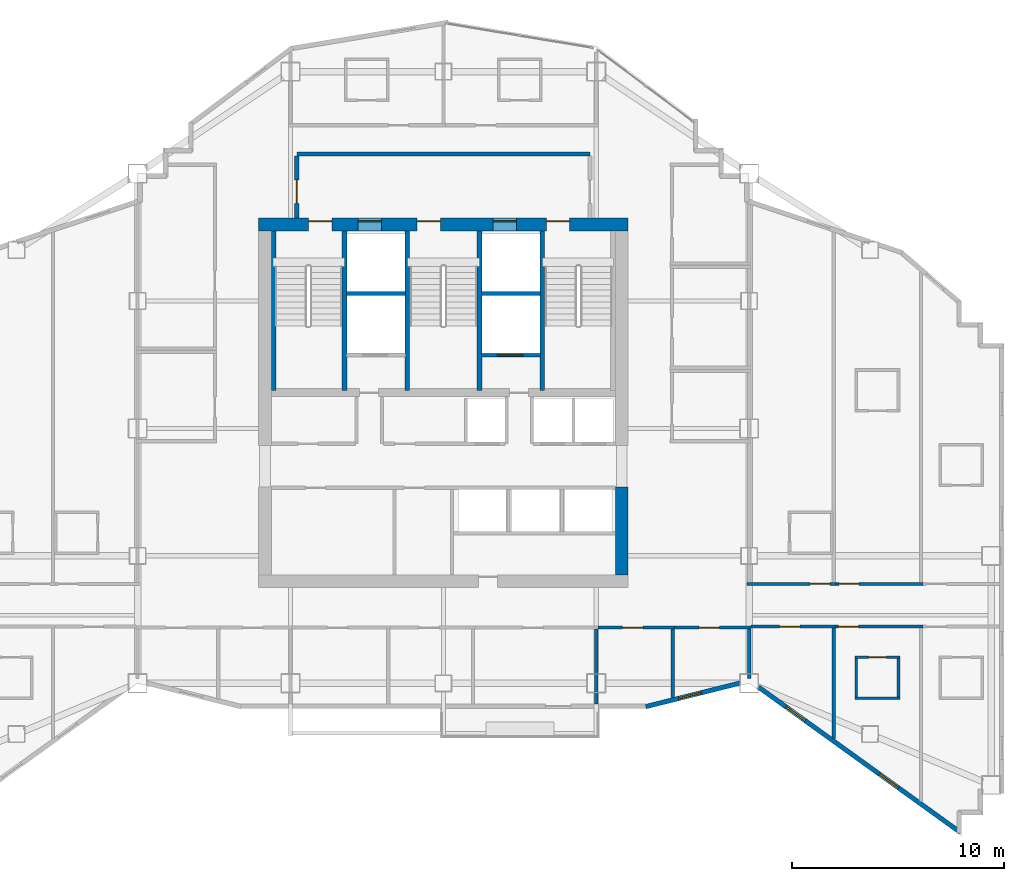
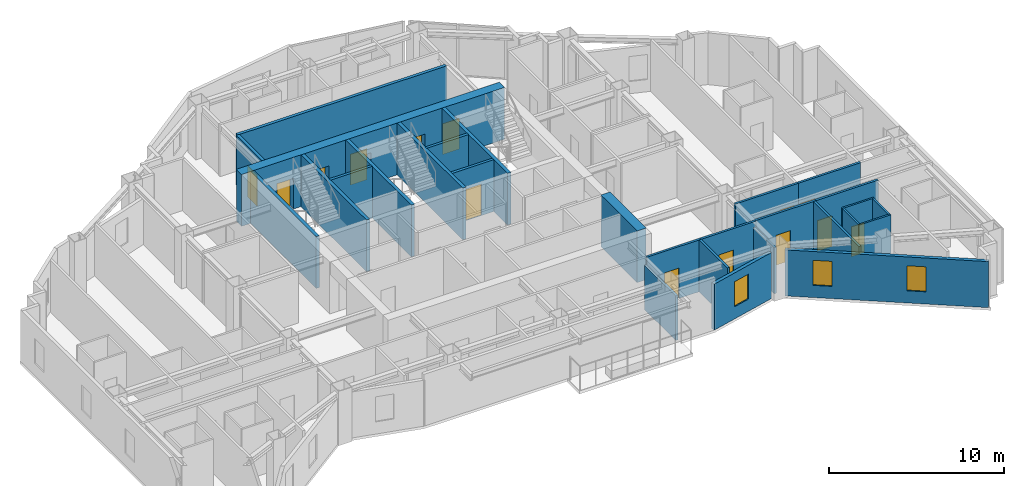
# One storey, part 7 of 11: 28 walls, 14 doors, 3 windows, 17 openings.
"""IFC4 building model written with IfcOpenShell, lengths in metres."""

from ifc_helpers import new_model, si_unit, direction, frame, frame_2d, origin, place, context, subcontext, project, spatial, rectangle, extrude, material, layer, layer_set, type_object, element, fill, save


model = new_model("IFC4")

# Units and contexts
model_context = context("Model", 3, precision=1e-05, world=origin(), true_north=direction((0.0, 1.0)))
body_context = subcontext(model_context, "Body", "Model", "MODEL_VIEW")
ifc_project = project(units=[si_unit("LENGTHUNIT", "METRE"), si_unit("AREAUNIT", "SQUARE_METRE"), si_unit("VOLUMEUNIT", "CUBIC_METRE"), si_unit("PLANEANGLEUNIT", "RADIAN"), si_unit("MASSUNIT", "GRAM", prefix="KILO")], contexts=[model_context])

# Site, building, storey
site_placement = place(None, origin())
site = spatial("IfcSite", under=ifc_project, at=site_placement, CompositionType="ELEMENT")
building_placement = place(site_placement, origin())
building = spatial("IfcBuilding", under=site, at=building_placement, Name="Haolan Belvedere Tower", CompositionType="ELEMENT")
storey_placement = place(building_placement, frame((0.0, 0.0, 188.0)))
storey = spatial("IfcBuildingStorey", under=building, at=storey_placement, Name="L47", CompositionType="ELEMENT", Elevation=188.0)

# Wall, openings, doors
ifc_material_1 = material(Name="Concrete C60/75", Category="concrete")
ifc_layer_1 = layer(ifc_material_1, 0.60009765625, Name="Concrete C60/75")
ifc_layer_set_1 = layer_set([ifc_layer_1], Name="Concrete C60/75")
wall_type_1 = type_object("IfcWallType", Name="WL-CORE-600", PredefinedType="SHEAR", material=ifc_layer_set_1)
wall_1_placement = place(storey_placement, frame((29.699951171875, 43.199951171875, 0.0), z_axis=(0.0, 0.0, 1.0), x_axis=(1.0, 0.0, 0.0)))
wall_1 = element("IfcWall", 1, at=wall_1_placement, inside=storey, type_object=wall_type_1, Name="L47 central core north shear wall", PredefinedType="SHEAR", context=body_context, shape_type="SweptSolid", body=[
    extrude(rectangle(XDim=17.400146484375, YDim=0.60009765625, at=frame_2d((8.7001953125, 0.0))), origin(), (0.0, 0.0, 1.0), 3.6201171875),
])
opening_1_placement = place(wall_1_placement, frame((2.35009765625, 0.0, 0.0)))
opening_1 = element("IfcOpeningElement", 2, at=opening_1_placement, cuts=wall_1, Name="Opening FD-03", PredefinedType="OPENING", context=body_context, shape_type="SweptSolid", body=[
    extrude(rectangle(XDim=1.10009765625, YDim=2.14990234375, at=frame_2d((0.550048828125, 1.074951171875))), frame((0.0, 0.31005859375, 0.0), z_axis=(0.0, -1.0, 0.0), x_axis=(1.0, 0.0, 0.0)), (0.0, 0.0, 1.0), 0.6201171875),
])
opening_2_placement = place(wall_1_placement, frame((7.4599609375, 0.0, 0.0)))
opening_2 = element("IfcOpeningElement", 3, at=opening_2_placement, cuts=wall_1, Name="Opening FD-03", PredefinedType="OPENING", context=body_context, shape_type="SweptSolid", body=[
    extrude(rectangle(XDim=1.10009765625, YDim=2.14990234375, at=frame_2d((0.550048828125, 1.074951171875))), frame((0.0, 0.31005859375, 0.0), z_axis=(0.0, -1.0, 0.0), x_axis=(1.0, 0.0, 0.0)), (0.0, 0.0, 1.0), 0.6201171875),
])
opening_3_placement = place(wall_1_placement, frame((13.550048828125, 0.0, 0.0)))
opening_3 = element("IfcOpeningElement", 4, at=opening_3_placement, cuts=wall_1, Name="Opening FD-03", PredefinedType="OPENING", context=body_context, shape_type="SweptSolid", body=[
    extrude(rectangle(XDim=1.10009765625, YDim=2.14990234375, at=frame_2d((0.550048828125, 1.074951171875))), frame((0.0, 0.31005859375, 0.0), z_axis=(0.0, -1.0, 0.0), x_axis=(1.0, 0.0, 0.0)), (0.0, 0.0, 1.0), 0.6201171875),
])
opening_4_placement = place(wall_1_placement, frame((4.679931640625, 0.0, 0.0)))
opening_4 = element("IfcOpeningElement", 5, at=opening_4_placement, cuts=wall_1, Name="Opening LD-01", PredefinedType="OPENING", context=body_context, shape_type="SweptSolid", body=[
    extrude(rectangle(XDim=1.10009765625, YDim=2.199951171875, at=frame_2d((0.550048828125, 1.10009765625))), frame((0.0, 0.31005859375, 0.0), z_axis=(0.0, -1.0, 0.0), x_axis=(1.0, 0.0, 0.0)), (0.0, 0.0, 1.0), 0.6201171875),
])
opening_5_placement = place(wall_1_placement, frame((11.0400390625, 0.0, 0.0)))
opening_5 = element("IfcOpeningElement", 6, at=opening_5_placement, cuts=wall_1, Name="Opening LD-01", PredefinedType="OPENING", context=body_context, shape_type="SweptSolid", body=[
    extrude(rectangle(XDim=1.10009765625, YDim=2.199951171875, at=frame_2d((0.550048828125, 1.10009765625))), frame((0.0, 0.31005859375, 0.0), z_axis=(0.0, -1.0, 0.0), x_axis=(1.0, 0.0, 0.0)), (0.0, 0.0, 1.0), 0.6201171875),
])
ifc_material_2 = material(Name="Galvanised fire-rated steel", Category="steel")
door_type_1 = type_object("IfcDoorType", Name="DR-FD90-1100", OperationType="NOTDEFINED", PredefinedType="DOOR", material=ifc_material_2)
door_1_placement = place(opening_1_placement, origin())
door_1 = element("IfcDoor", 7, at=door_1_placement, inside=storey, type_object=door_type_1, Name="L47 door CD-L47-ST1", OperationType="SINGLE_SWING_LEFT", OverallHeight=2.14990234375, OverallWidth=1.10009765625, PredefinedType="DOOR", context=body_context, shape_type="SweptSolid", body=[
    extrude(rectangle(XDim=1.10009765625, YDim=2.14990234375, at=frame_2d((0.550048828125, 1.074951171875))), frame((0.0, 0.18505859375, 0.0), z_axis=(0.0, -1.0, 0.0), x_axis=(1.0, 0.0, 0.0)), (0.0, 0.0, 1.0), 0.050048828125),
])
fill(opening_1, door_1)
door_2_placement = place(opening_2_placement, origin())
door_2 = element("IfcDoor", 8, at=door_2_placement, inside=storey, type_object=door_type_1, Name="L47 door CD-L47-ST3", OperationType="SINGLE_SWING_LEFT", OverallHeight=2.14990234375, OverallWidth=1.10009765625, PredefinedType="DOOR", context=body_context, shape_type="SweptSolid", body=[
    extrude(rectangle(XDim=1.10009765625, YDim=2.14990234375, at=frame_2d((0.550048828125, 1.074951171875))), frame((0.0, 0.18505859375, 0.0), z_axis=(0.0, -1.0, 0.0), x_axis=(1.0, 0.0, 0.0)), (0.0, 0.0, 1.0), 0.050048828125),
])
fill(opening_2, door_2)
door_3_placement = place(opening_3_placement, origin())
door_3 = element("IfcDoor", 9, at=door_3_placement, inside=storey, type_object=door_type_1, Name="L47 door CD-L47-ST2", OperationType="SINGLE_SWING_RIGHT", OverallHeight=2.14990234375, OverallWidth=1.10009765625, PredefinedType="DOOR", context=body_context, shape_type="SweptSolid", body=[
    extrude(rectangle(XDim=1.10009765625, YDim=2.14990234375, at=frame_2d((0.550048828125, 1.074951171875))), frame((0.0, 0.18505859375, 0.0), z_axis=(0.0, -1.0, 0.0), x_axis=(1.0, 0.0, 0.0)), (0.0, 0.0, 1.0), 0.050048828125),
])
fill(opening_3, door_3)
ifc_material_3 = material(Name="Brushed champagne stainless steel 316L", Category="steel")
door_type_2 = type_object("IfcDoorType", Name="DR-LIFT-1100", OperationType="SLIDING_TO_LEFT", PredefinedType="DOOR", material=ifc_material_3)
door_4_placement = place(opening_4_placement, origin())
door_4 = element("IfcDoor", 10, at=door_4_placement, inside=storey, type_object=door_type_2, Name="L47 door LD-L47-FF1", OperationType="SLIDING_TO_LEFT", OverallHeight=2.199951171875, OverallWidth=1.10009765625, PredefinedType="DOOR", context=body_context, shape_type="SweptSolid", body=[
    extrude(rectangle(XDim=1.10009765625, YDim=2.199951171875, at=frame_2d((0.550048828125, 1.10009765625))), frame((0.0, 0.18505859375, 0.0), z_axis=(0.0, -1.0, 0.0), x_axis=(1.0, 0.0, 0.0)), (0.0, 0.0, 1.0), 0.050048828125),
])
fill(opening_4, door_4)
door_5_placement = place(opening_5_placement, origin())
door_5 = element("IfcDoor", 11, at=door_5_placement, inside=storey, type_object=door_type_2, Name="L47 door LD-L47-FF2", OperationType="SLIDING_TO_LEFT", OverallHeight=2.199951171875, OverallWidth=1.10009765625, PredefinedType="DOOR", context=body_context, shape_type="SweptSolid", body=[
    extrude(rectangle(XDim=1.10009765625, YDim=2.199951171875, at=frame_2d((0.550048828125, 1.10009765625))), frame((0.0, 0.18505859375, 0.0), z_axis=(0.0, -1.0, 0.0), x_axis=(1.0, 0.0, 0.0)), (0.0, 0.0, 1.0), 0.050048828125),
])
fill(opening_5, door_5)

# Wall
wall_2_placement = place(storey_placement, frame((46.800048828125, 26.699951171875, 0.0), z_axis=(0.0, 0.0, 1.0), x_axis=(0.0, 1.0, 0.0)))
element("IfcWall", 12, at=wall_2_placement, inside=storey, type_object=wall_type_1, Name="L47 central core shear wall ES", PredefinedType="SHEAR", context=body_context, shape_type="SweptSolid", body=[
    extrude(rectangle(XDim=4.150146484375, YDim=0.60009765625, at=frame_2d((2.0751953125, 0.0))), origin(), (0.0, 0.0, 1.0), 3.6201171875),
])

# Wall, opening, window
ifc_material_4 = material(Name="Precast concrete C40/50", Category="concrete")
ifc_layer_2 = layer(ifc_material_4, 0.219970703125, Name="Precast concrete C40/50")
ifc_layer_set_2 = layer_set([ifc_layer_2], Name="Precast concrete C40/50")
wall_type_2 = type_object("IfcWallType", Name="WL-EXT-220", PredefinedType="SOLIDWALL", material=ifc_layer_set_2)
wall_3_placement = place(storey_placement, frame((47.93310546875, 20.49658203125, 0.0), z_axis=(0.0, 0.0, 1.0), x_axis=(0.970142500145, 0.242535625036, 0.0)))
wall_3 = element("IfcWall", 13, at=wall_3_placement, inside=storey, type_object=wall_type_2, Name="L47 pale-metal exterior spandrel wall 2.1", PredefinedType="SOLIDWALL", context=body_context, shape_type="SweptSolid", body=[
    extrude(rectangle(XDim=4.56103515625, YDim=0.219970703125, at=frame_2d((2.280517578125, 0.0))), origin(), (0.0, 0.0, 1.0), 3.215087890625),
])
opening_6_placement = place(wall_3_placement, frame((1.60009765625, 0.0, 0.85009765625)))
opening_6 = element("IfcOpeningElement", 14, at=opening_6_placement, cuts=wall_3, Name="Opening W-03", PredefinedType="OPENING", context=body_context, shape_type="SweptSolid", body=[
    extrude(rectangle(XDim=1.10009765625, YDim=1.75, at=frame_2d((0.550048828125, 0.875))), frame((0.0, 0.119873046875, 0.0), z_axis=(0.0, -1.0, 0.0), x_axis=(1.0, 0.0, 0.0)), (0.0, 0.0, 1.0), 0.239990234375),
])
ifc_material_5 = material(Name="Anodised aluminium 6063-T6 and Low-E glass", Category="aluminium")
window_type = type_object("IfcWindowType", Name="WN-DECO-Z3", PartitioningType="SINGLE_PANEL", PredefinedType="WINDOW", material=ifc_material_5)
window_1_placement = place(opening_6_placement, origin())
window_1 = element("IfcWindow", 15, at=window_1_placement, inside=storey, type_object=window_type, Name="L47 Art Deco chevron window 1", OverallHeight=1.75, OverallWidth=1.10009765625, PartitioningType="SINGLE_PANEL", PredefinedType="WINDOW", context=body_context, shape_type="SweptSolid", body=[
    extrude(rectangle(XDim=1.10009765625, YDim=1.75, at=frame_2d((0.550048828125, 0.875))), frame((0.0, 0.030029296875, 0.0), z_axis=(0.0, -1.0, 0.0), x_axis=(1.0, 0.0, 0.0)), (0.0, 0.0, 1.0), 0.06005859375),
])
fill(opening_6, window_1)

# Wall, openings, windows
wall_4_placement = place(storey_placement, frame((53.241943359375, 21.417236328125, 0.0), z_axis=(0.0, 0.0, 1.0), x_axis=(0.811534737332, -0.58430417601, 0.0)))
wall_4 = element("IfcWall", 16, at=wall_4_placement, inside=storey, type_object=wall_type_2, Name="L47 pale-metal exterior spandrel wall 3.1", PredefinedType="SOLIDWALL", context=body_context, shape_type="SweptSolid", body=[
    extrude(rectangle(XDim=11.697265625, YDim=0.219970703125, at=frame_2d((5.8486328125, 0.0))), origin(), (0.0, 0.0, 1.0), 3.215087890625),
])
opening_7_placement = place(wall_4_placement, frame((1.60009765625, 0.0, 0.85009765625)))
opening_7 = element("IfcOpeningElement", 17, at=opening_7_placement, cuts=wall_4, Name="Opening W-03", PredefinedType="OPENING", context=body_context, shape_type="SweptSolid", body=[
    extrude(rectangle(XDim=1.10009765625, YDim=1.75, at=frame_2d((0.550048828125, 0.875))), frame((0.0, 0.119873046875, 0.0), z_axis=(0.0, -1.0, 0.0), x_axis=(1.0, 0.0, 0.0)), (0.0, 0.0, 1.0), 0.239990234375),
])
opening_8_placement = place(wall_4_placement, frame((7.0, 0.0, 0.85009765625)))
opening_8 = element("IfcOpeningElement", 18, at=opening_8_placement, cuts=wall_4, Name="Opening W-03", PredefinedType="OPENING", context=body_context, shape_type="SweptSolid", body=[
    extrude(rectangle(XDim=1.10009765625, YDim=1.75, at=frame_2d((0.550048828125, 0.875))), frame((0.0, 0.119873046875, 0.0), z_axis=(0.0, -1.0, 0.0), x_axis=(1.0, 0.0, 0.0)), (0.0, 0.0, 1.0), 0.239990234375),
])
window_2_placement = place(opening_7_placement, origin())
window_2 = element("IfcWindow", 19, at=window_2_placement, inside=storey, type_object=window_type, Name="L47 Art Deco chevron window 1", OverallHeight=1.75, OverallWidth=1.10009765625, PartitioningType="SINGLE_PANEL", PredefinedType="WINDOW", context=body_context, shape_type="SweptSolid", body=[
    extrude(rectangle(XDim=1.10009765625, YDim=1.75, at=frame_2d((0.550048828125, 0.875))), frame((0.0, 0.030029296875, 0.0), z_axis=(0.0, -1.0, 0.0), x_axis=(1.0, 0.0, 0.0)), (0.0, 0.0, 1.0), 0.06005859375),
])
fill(opening_7, window_2)
window_3_placement = place(opening_8_placement, origin())
window_3 = element("IfcWindow", 20, at=window_3_placement, inside=storey, type_object=window_type, Name="L47 Art Deco chevron window 2", OverallHeight=1.75, OverallWidth=1.10009765625, PartitioningType="SINGLE_PANEL", PredefinedType="WINDOW", context=body_context, shape_type="SweptSolid", body=[
    extrude(rectangle(XDim=1.10009765625, YDim=1.75, at=frame_2d((0.550048828125, 0.875))), frame((0.0, 0.030029296875, 0.0), z_axis=(0.0, -1.0, 0.0), x_axis=(1.0, 0.0, 0.0)), (0.0, 0.0, 1.0), 0.06005859375),
])
fill(opening_8, window_3)

# Wall
ifc_material_6 = material(Name="Concrete C40/50", Category="concrete")
ifc_layer_3 = layer(ifc_material_6, 0.199951171875, Name="Concrete C40/50")
ifc_layer_set_3 = layer_set([ifc_layer_3], Name="Concrete C40/50")
wall_type_3 = type_object("IfcWallType", Name="WL-FIRE-200", PredefinedType="SOLIDWALL", material=ifc_layer_set_3)
wall_5_placement = place(storey_placement, frame((31.5, 46.52001953125, 0.0), z_axis=(0.0, 0.0, 1.0), x_axis=(1.0, 0.0, 0.0)))
element("IfcWall", 21, at=wall_5_placement, inside=storey, type_object=wall_type_3, Name="L47 interior partition IW-L47-FFL-N", PredefinedType="SOLIDWALL", context=body_context, shape_type="SweptSolid", body=[
    extrude(rectangle(XDim=13.800048828125, YDim=0.199951171875, at=frame_2d((6.89990234375, 0.0))), origin(), (0.0, 0.0, 1.0), 3.6201171875),
])

# Wall, opening, door
wall_6_placement = place(storey_placement, frame((31.5, 43.5, 0.0), z_axis=(0.0, 0.0, 1.0), x_axis=(0.0, 1.0, 0.0)))
wall_6 = element("IfcWall", 22, at=wall_6_placement, inside=storey, type_object=wall_type_3, Name="L47 interior partition IW-L47-FFL-W", PredefinedType="SOLIDWALL", context=body_context, shape_type="SweptSolid", body=[
    extrude(rectangle(XDim=2.93505859375, YDim=0.199951171875, at=frame_2d((1.467529296875, 0.0))), origin(), (0.0, 0.0, 1.0), 3.6201171875),
])
opening_9_placement = place(wall_6_placement, frame((1.800048828125, 0.0, 0.0), z_axis=(0.0, 0.0, 1.0), x_axis=(-1.0, 0.0, 0.0)))
opening_9 = element("IfcOpeningElement", 23, at=opening_9_placement, cuts=wall_6, Name="Opening FD-03", PredefinedType="OPENING", context=body_context, shape_type="SweptSolid", body=[
    extrude(rectangle(XDim=1.10009765625, YDim=2.14990234375, at=frame_2d((0.550048828125, 1.074951171875))), frame((0.0, 0.10986328125, 0.0), z_axis=(0.0, -1.0, 0.0), x_axis=(1.0, 0.0, 0.0)), (0.0, 0.0, 1.0), 0.219970703125),
])
door_6_placement = place(opening_9_placement, origin())
door_6 = element("IfcDoor", 24, at=door_6_placement, inside=storey, type_object=door_type_1, Name="L47 door ID-L47-FFL-DW", OperationType="SINGLE_SWING_LEFT", OverallHeight=2.14990234375, OverallWidth=1.10009765625, PredefinedType="DOOR", context=body_context, shape_type="SweptSolid", body=[
    extrude(rectangle(XDim=1.10009765625, YDim=2.14990234375, at=frame_2d((0.550048828125, 1.074951171875))), frame((0.0, 0.02490234375, 0.0), z_axis=(0.0, -1.0, 0.0), x_axis=(1.0, 0.0, 0.0)), (0.0, 0.0, 1.0), 0.050048828125),
])
fill(opening_9, door_6)

# Wall
ifc_material_7 = material(Name="Double gypsum acoustic stud partition", Category="masonry")
ifc_layer_4 = layer(ifc_material_7, 0.14990234375, Name="Double gypsum acoustic stud partition")
ifc_layer_set_4 = layer_set([ifc_layer_4], Name="Double gypsum acoustic stud partition")
wall_type_4 = type_object("IfcWallType", Name="WL-PART-150", PredefinedType="PARTITIONING", material=ifc_layer_set_4)
wall_7_placement = place(storey_placement, frame((45.60009765625, 20.612060546875, 0.0), z_axis=(0.0, 0.0, 1.0), x_axis=(0.0, 1.0, 0.0)))
element("IfcWall", 25, at=wall_7_placement, inside=storey, type_object=wall_type_4, Name="L47 interior partition IW-L47-KS5-E", PredefinedType="PARTITIONING", context=body_context, shape_type="SweptSolid", body=[
    extrude(rectangle(XDim=3.5478515625, YDim=0.14990234375, at=frame_2d((1.77392578125, 0.0))), origin(), (0.0, 0.0, 1.0), 3.10498046875),
])

# Wall, opening, door
wall_8_placement = place(storey_placement, frame((45.681884765625, 24.219970703125, 0.0), z_axis=(0.0, 0.0, 1.0), x_axis=(1.0, 0.0, 0.0)))
wall_8 = element("IfcWall", 26, at=wall_8_placement, inside=storey, type_object=wall_type_4, Name="L47 interior partition IW-L47-KS6-N", PredefinedType="PARTITIONING", context=body_context, shape_type="SweptSolid", body=[
    extrude(rectangle(XDim=3.59814453125, YDim=0.14990234375, at=frame_2d((1.799072265625, 0.0))), origin(), (0.0, 0.0, 1.0), 3.6201171875),
])
opening_10_placement = place(wall_8_placement, frame((2.113037109375, 0.0, 0.0), z_axis=(0.0, 0.0, 1.0), x_axis=(-1.0, 0.0, 0.0)))
opening_10 = element("IfcOpeningElement", 27, at=opening_10_placement, cuts=wall_8, Name="Opening ID-03", PredefinedType="OPENING", context=body_context, shape_type="SweptSolid", body=[
    extrude(rectangle(XDim=0.949951171875, YDim=2.1201171875, at=frame_2d((0.47509765625, 1.06005859375))), frame((0.0, 0.0849609375, 0.0), z_axis=(0.0, -1.0, 0.0), x_axis=(1.0, 0.0, 0.0)), (0.0, 0.0, 1.0), 0.169921875),
])
ifc_material_8 = material(Name="Painted solid-core timber", Category="wood")
door_type_3 = type_object("IfcDoorType", Name="DR-INT-950", OperationType="NOTDEFINED", PredefinedType="DOOR", material=ifc_material_8)
door_7_placement = place(opening_10_placement, origin())
door_7 = element("IfcDoor", 28, at=door_7_placement, inside=storey, type_object=door_type_3, Name="L47 door ID-L47-KS6", OperationType="SINGLE_SWING_RIGHT", OverallHeight=2.1201171875, OverallWidth=0.949951171875, PredefinedType="DOOR", context=body_context, shape_type="SweptSolid", body=[
    extrude(rectangle(XDim=0.949951171875, YDim=2.1201171875, at=frame_2d((0.47509765625, 1.06005859375))), frame((0.0, 0.02490234375, 0.0), z_axis=(0.0, -1.0, 0.0), x_axis=(1.0, 0.0, 0.0)), (0.0, 0.0, 1.0), 0.050048828125),
])
fill(opening_10, door_7)

# Wall
wall_9_placement = place(storey_placement, frame((49.199951171875, 20.91845703125, 0.0), z_axis=(0.0, 0.0, 1.0), x_axis=(0.0, 1.0, 0.0)))
element("IfcWall", 29, at=wall_9_placement, inside=storey, type_object=wall_type_4, Name="L47 interior partition IW-L47-KS6-E", PredefinedType="PARTITIONING", context=body_context, shape_type="SweptSolid", body=[
    extrude(rectangle(XDim=3.241455078125, YDim=0.14990234375, at=frame_2d((1.62060546875, 0.0))), origin(), (0.0, 0.0, 1.0), 3.6201171875),
])

# Wall, opening, door
wall_10_placement = place(storey_placement, frame((49.281982421875, 24.219970703125, 0.0), z_axis=(0.0, 0.0, 1.0), x_axis=(1.0, 0.0, 0.0)))
wall_10 = element("IfcWall", 30, at=wall_10_placement, inside=storey, type_object=wall_type_4, Name="L47 interior partition IW-L47-KS7-N", PredefinedType="PARTITIONING", context=body_context, shape_type="SweptSolid", body=[
    extrude(rectangle(XDim=3.597900390625, YDim=0.14990234375, at=frame_2d((1.798828125, 0.0))), origin(), (0.0, 0.0, 1.0), 3.6201171875),
])
opening_11_placement = place(wall_10_placement, frame((2.113037109375, 0.0, 0.0), z_axis=(0.0, 0.0, 1.0), x_axis=(-1.0, 0.0, 0.0)))
opening_11 = element("IfcOpeningElement", 31, at=opening_11_placement, cuts=wall_10, Name="Opening ID-03", PredefinedType="OPENING", context=body_context, shape_type="SweptSolid", body=[
    extrude(rectangle(XDim=0.949951171875, YDim=2.1201171875, at=frame_2d((0.47509765625, 1.06005859375))), frame((0.0, 0.0849609375, 0.0), z_axis=(0.0, -1.0, 0.0), x_axis=(1.0, 0.0, 0.0)), (0.0, 0.0, 1.0), 0.169921875),
])
door_8_placement = place(opening_11_placement, origin())
door_8 = element("IfcDoor", 32, at=door_8_placement, inside=storey, type_object=door_type_3, Name="L47 door ID-L47-KS7", OperationType="SINGLE_SWING_LEFT", OverallHeight=2.1201171875, OverallWidth=0.949951171875, PredefinedType="DOOR", context=body_context, shape_type="SweptSolid", body=[
    extrude(rectangle(XDim=0.949951171875, YDim=2.1201171875, at=frame_2d((0.47509765625, 1.06005859375))), frame((0.0, 0.02490234375, 0.0), z_axis=(0.0, -1.0, 0.0), x_axis=(1.0, 0.0, 0.0)), (0.0, 0.0, 1.0), 0.050048828125),
])
fill(opening_11, door_8)

# Wall
wall_11_placement = place(storey_placement, frame((52.800048828125, 21.818603515625, 0.0), z_axis=(0.0, 0.0, 1.0), x_axis=(0.0, 1.0, 0.0)))
element("IfcWall", 33, at=wall_11_placement, inside=storey, type_object=wall_type_4, Name="L47 interior partition IW-L47-KS7-E", PredefinedType="PARTITIONING", context=body_context, shape_type="SweptSolid", body=[
    extrude(rectangle(XDim=2.34130859375, YDim=0.14990234375, at=frame_2d((1.170654296875, 0.0))), origin(), (0.0, 0.0, 1.0), 3.215087890625),
])

# Wall, opening, door
wall_12_placement = place(storey_placement, frame((52.699951171875, 26.280029296875, 0.0), z_axis=(0.0, 0.0, 1.0), x_axis=(1.0, 0.0, 0.0)))
wall_12 = element("IfcWall", 34, at=wall_12_placement, inside=storey, type_object=wall_type_4, Name="L47 interior partition IW-L47-T4N1-S", PredefinedType="PARTITIONING", context=body_context, shape_type="SweptSolid", body=[
    extrude(rectangle(XDim=4.179931640625, YDim=0.14990234375, at=frame_2d((2.08984375, 0.0))), origin(), (0.0, 0.0, 1.0), 3.6201171875),
])
opening_12_placement = place(wall_12_placement, frame((2.966064453125, 0.0, 0.0)))
opening_12 = element("IfcOpeningElement", 35, at=opening_12_placement, cuts=wall_12, Name="Opening ID-01", PredefinedType="OPENING", context=body_context, shape_type="SweptSolid", body=[
    extrude(rectangle(XDim=0.949951171875, YDim=2.179931640625, at=frame_2d((0.47509765625, 1.08984375))), frame((0.0, 0.0849609375, 0.0), z_axis=(0.0, -1.0, 0.0), x_axis=(1.0, 0.0, 0.0)), (0.0, 0.0, 1.0), 0.169921875),
])
ifc_material_9 = material(Name="Acoustic walnut veneer fire-rated timber", Category="wood")
door_type_4 = type_object("IfcDoorType", Name="DR-SUITE-950", OperationType="NOTDEFINED", PredefinedType="DOOR", material=ifc_material_9)
door_9_placement = place(opening_12_placement, origin())
door_9 = element("IfcDoor", 36, at=door_9_placement, inside=storey, type_object=door_type_4, Name="L47 door ID-L47-T4N1-ENT", OperationType="SINGLE_SWING_RIGHT", OverallHeight=2.179931640625, OverallWidth=0.949951171875, PredefinedType="DOOR", context=body_context, shape_type="SweptSolid", body=[
    extrude(rectangle(XDim=0.949951171875, YDim=2.179931640625, at=frame_2d((0.47509765625, 1.08984375))), frame((0.0, 0.02490234375, 0.0), z_axis=(0.0, -1.0, 0.0), x_axis=(1.0, 0.0, 0.0)), (0.0, 0.0, 1.0), 0.050048828125),
])
fill(opening_12, door_9)

wall_13_placement = place(storey_placement, frame((56.882080078125, 26.280029296875, 0.0), z_axis=(0.0, 0.0, 1.0), x_axis=(1.0, 0.0, 0.0)))
wall_13 = element("IfcWall", 37, at=wall_13_placement, inside=storey, type_object=wall_type_4, Name="L47 interior partition IW-L47-T4N2-S", PredefinedType="PARTITIONING", context=body_context, shape_type="SweptSolid", body=[
    extrude(rectangle(XDim=4.10791015625, YDim=0.14990234375, at=frame_2d((2.053955078125, 0.0))), origin(), (0.0, 0.0, 1.0), 3.6201171875),
])
opening_13_placement = place(wall_13_placement, frame((0.139892578125, 0.0, 0.0)))
opening_13 = element("IfcOpeningElement", 38, at=opening_13_placement, cuts=wall_13, Name="Opening ID-01", PredefinedType="OPENING", context=body_context, shape_type="SweptSolid", body=[
    extrude(rectangle(XDim=0.949951171875, YDim=2.179931640625, at=frame_2d((0.47509765625, 1.08984375))), frame((0.0, 0.0849609375, 0.0), z_axis=(0.0, -1.0, 0.0), x_axis=(1.0, 0.0, 0.0)), (0.0, 0.0, 1.0), 0.169921875),
])
door_10_placement = place(opening_13_placement, origin())
door_10 = element("IfcDoor", 39, at=door_10_placement, inside=storey, type_object=door_type_4, Name="L47 door ID-L47-T4N2-ENT", OperationType="SINGLE_SWING_LEFT", OverallHeight=2.179931640625, OverallWidth=0.949951171875, PredefinedType="DOOR", context=body_context, shape_type="SweptSolid", body=[
    extrude(rectangle(XDim=0.949951171875, YDim=2.179931640625, at=frame_2d((0.47509765625, 1.08984375))), frame((0.0, 0.02490234375, 0.0), z_axis=(0.0, -1.0, 0.0), x_axis=(1.0, 0.0, 0.0)), (0.0, 0.0, 1.0), 0.050048828125),
])
fill(opening_13, door_10)

wall_14_placement = place(storey_placement, frame((52.882080078125, 24.27001953125, 0.0), z_axis=(0.0, 0.0, 1.0), x_axis=(1.0, 0.0, 0.0)))
wall_14 = element("IfcWall", 40, at=wall_14_placement, inside=storey, type_object=wall_type_4, Name="L47 interior partition IW-L47-T4S1-N", PredefinedType="PARTITIONING", context=body_context, shape_type="SweptSolid", body=[
    extrude(rectangle(XDim=3.97802734375, YDim=0.14990234375, at=frame_2d((1.989013671875, 0.0))), origin(), (0.0, 0.0, 1.0), 3.6201171875),
])
opening_14_placement = place(wall_14_placement, frame((2.302978515625, 0.0, 0.0), z_axis=(0.0, 0.0, 1.0), x_axis=(-1.0, 0.0, 0.0)))
opening_14 = element("IfcOpeningElement", 41, at=opening_14_placement, cuts=wall_14, Name="Opening ID-03", PredefinedType="OPENING", context=body_context, shape_type="SweptSolid", body=[
    extrude(rectangle(XDim=0.949951171875, YDim=2.1201171875, at=frame_2d((0.47509765625, 1.06005859375))), frame((0.0, 0.0849609375, 0.0), z_axis=(0.0, -1.0, 0.0), x_axis=(1.0, 0.0, 0.0)), (0.0, 0.0, 1.0), 0.169921875),
])
door_11_placement = place(opening_14_placement, origin())
door_11 = element("IfcDoor", 42, at=door_11_placement, inside=storey, type_object=door_type_3, Name="L47 door ID-L47-T4S1", OperationType="SINGLE_SWING_LEFT", OverallHeight=2.1201171875, OverallWidth=0.949951171875, PredefinedType="DOOR", context=body_context, shape_type="SweptSolid", body=[
    extrude(rectangle(XDim=0.949951171875, YDim=2.1201171875, at=frame_2d((0.47509765625, 1.06005859375))), frame((0.0, 0.02490234375, 0.0), z_axis=(0.0, -1.0, 0.0), x_axis=(1.0, 0.0, 0.0)), (0.0, 0.0, 1.0), 0.050048828125),
])
fill(opening_14, door_11)

# Wall
wall_15_placement = place(storey_placement, frame((56.780029296875, 18.99560546875, 0.0), z_axis=(0.0, 0.0, 1.0), x_axis=(0.0, 1.0, 0.0)))
element("IfcWall", 43, at=wall_15_placement, inside=storey, type_object=wall_type_4, Name="L47 interior partition IW-L47-T4S1-E", PredefinedType="PARTITIONING", context=body_context, shape_type="SweptSolid", body=[
    extrude(rectangle(XDim=5.21435546875, YDim=0.14990234375, at=frame_2d((2.607177734375, 0.0))), origin(), (0.0, 0.0, 1.0), 3.6201171875),
])

# Wall, opening, door
wall_16_placement = place(storey_placement, frame((56.862060546875, 24.27001953125, 0.0), z_axis=(0.0, 0.0, 1.0), x_axis=(1.0, 0.0, 0.0)))
wall_16 = element("IfcWall", 44, at=wall_16_placement, inside=storey, type_object=wall_type_4, Name="L47 interior partition IW-L47-T4S2-N", PredefinedType="PARTITIONING", context=body_context, shape_type="SweptSolid", body=[
    extrude(rectangle(XDim=4.1279296875, YDim=0.14990234375, at=frame_2d((2.06396484375, 0.0))), origin(), (0.0, 0.0, 1.0), 3.6201171875),
])
opening_15_placement = place(wall_16_placement, frame((1.08984375, 0.0, 0.0), z_axis=(0.0, 0.0, 1.0), x_axis=(-1.0, 0.0, 0.0)))
opening_15 = element("IfcOpeningElement", 45, at=opening_15_placement, cuts=wall_16, Name="Opening ID-02", PredefinedType="OPENING", context=body_context, shape_type="SweptSolid", body=[
    extrude(rectangle(XDim=0.949951171875, YDim=2.14990234375, at=frame_2d((0.47509765625, 1.074951171875))), frame((0.0, 0.0849609375, 0.0), z_axis=(0.0, -1.0, 0.0), x_axis=(1.0, 0.0, 0.0)), (0.0, 0.0, 1.0), 0.169921875),
])
ifc_material_10 = material(Name="Acoustic oak veneer fire-rated timber", Category="wood")
door_type_5 = type_object("IfcDoorType", Name="DR-GUEST-950", OperationType="NOTDEFINED", PredefinedType="DOOR", material=ifc_material_10)
door_12_placement = place(opening_15_placement, origin())
door_12 = element("IfcDoor", 46, at=door_12_placement, inside=storey, type_object=door_type_5, Name="L47 door ID-L47-T4S2-ENT", OperationType="SINGLE_SWING_RIGHT", OverallHeight=2.14990234375, OverallWidth=0.949951171875, PredefinedType="DOOR", context=body_context, shape_type="SweptSolid", body=[
    extrude(rectangle(XDim=0.949951171875, YDim=2.14990234375, at=frame_2d((0.47509765625, 1.074951171875))), frame((0.0, 0.02490234375, 0.0), z_axis=(0.0, -1.0, 0.0), x_axis=(1.0, 0.0, 0.0)), (0.0, 0.0, 1.0), 0.050048828125),
])
fill(opening_15, door_12)

# Walls
ifc_layer_5 = layer(ifc_material_4, 0.179931640625, Name="Precast concrete C40/50")
ifc_layer_set_5 = layer_set([ifc_layer_5], Name="Precast concrete C40/50")
wall_type_5 = type_object("IfcWallType", Name="WL-SHAFT-180", PredefinedType="SOLIDWALL", material=ifc_layer_set_5)
for number, where, z_axis, x_axis, name in (
    (47, (33.8349609375, 39.949951171875, 0.0), (0.0, 0.0, 1.0), (1.0, 0.0, 0.0), "L47 interior partition IW-L47-FF1-S"),
    (48, (40.195068359375, 39.949951171875, 0.0), (0.0, 0.0, 1.0), (1.0, 0.0, 0.0), "L47 interior partition IW-L47-FF2-S"),
):
    element("IfcWall", number, at=place(storey_placement, frame(where, z_axis=z_axis, x_axis=x_axis)), inside=storey, type_object=wall_type_5, Name=name, PredefinedType="SOLIDWALL", context=body_context, shape_type="SweptSolid", body=[
        extrude(rectangle(XDim=2.77001953125, YDim=0.179931640625, at=frame_2d((1.385009765625, 0.0))), origin(), (0.0, 0.0, 1.0), 3.6201171875),
    ])

# Wall, opening, door
wall_17_placement = place(storey_placement, frame((40.195068359375, 37.050048828125, 0.0), z_axis=(0.0, 0.0, 1.0), x_axis=(1.0, 0.0, 0.0)))
wall_17 = element("IfcWall", 49, at=wall_17_placement, inside=storey, type_object=wall_type_5, Name="L47 interior partition IW-L47-SV2-S", PredefinedType="SOLIDWALL", context=body_context, shape_type="SweptSolid", body=[
    extrude(rectangle(XDim=2.77001953125, YDim=0.179931640625, at=frame_2d((1.385009765625, 0.0))), origin(), (0.0, 0.0, 1.0), 3.6201171875),
])
opening_16_placement = place(wall_17_placement, frame((1.945068359375, 0.0, 0.0), z_axis=(0.0, 0.0, 1.0), x_axis=(-1.0, 0.0, 0.0)))
opening_16 = element("IfcOpeningElement", 50, at=opening_16_placement, cuts=wall_17, Name="Opening LD-02", PredefinedType="OPENING", context=body_context, shape_type="SweptSolid", body=[
    extrude(rectangle(XDim=1.199951171875, YDim=2.199951171875, at=frame_2d((0.60009765625, 1.10009765625))), frame((0.0, 0.099853515625, 0.0), z_axis=(0.0, -1.0, 0.0), x_axis=(1.0, 0.0, 0.0)), (0.0, 0.0, 1.0), 0.199951171875),
])
door_type_6 = type_object("IfcDoorType", Name="DR-LIFT-1200", OperationType="SLIDING_TO_RIGHT", PredefinedType="DOOR", material=ifc_material_3)
door_13_placement = place(opening_16_placement, origin())
door_13 = element("IfcDoor", 51, at=door_13_placement, inside=storey, type_object=door_type_6, Name="L47 door ID-L47-LD-SV2", OperationType="SLIDING_TO_RIGHT", OverallHeight=2.199951171875, OverallWidth=1.199951171875, PredefinedType="DOOR", context=body_context, shape_type="SweptSolid", body=[
    extrude(rectangle(XDim=1.199951171875, YDim=2.199951171875, at=frame_2d((0.60009765625, 1.10009765625))), frame((0.0, 0.02490234375, 0.0), z_axis=(0.0, -1.0, 0.0), x_axis=(1.0, 0.0, 0.0)), (0.0, 0.0, 1.0), 0.050048828125),
])
fill(opening_16, door_13)

# Walls
ifc_material_11 = material(Name="Concrete C50/60", Category="concrete")
ifc_layer_6 = layer(ifc_material_11, 0.219970703125, Name="Concrete C50/60")
ifc_layer_set_6 = layer_set([ifc_layer_6], Name="Concrete C50/60")
wall_type_6 = type_object("IfcWallType", Name="WL-STAIR-220", PredefinedType="SHEAR", material=ifc_layer_set_6)
for number, where, z_axis, x_axis, name in (
    (52, (30.412109375, 35.389892578125, 0.0), (0.0, 0.0, 1.0), (0.0, 1.0, 0.0), "L47 structural stair core wall ST1W"),
    (53, (33.739990234375, 35.389892578125, 0.0), (0.0, 0.0, 1.0), (0.0, 1.0, 0.0), "L47 structural stair core wall ST1E"),
    (54, (36.699951171875, 35.389892578125, 0.0), (0.0, 0.0, 1.0), (0.0, 1.0, 0.0), "L47 structural stair core wall ST3W"),
    (55, (40.10009765625, 35.389892578125, 0.0), (0.0, 0.0, 1.0), (0.0, 1.0, 0.0), "L47 structural stair core wall ST3E"),
    (56, (43.06005859375, 35.389892578125, 0.0), (0.0, 0.0, 1.0), (0.0, 1.0, 0.0), "L47 structural stair core wall ST2W"),
):
    element("IfcWall", number, at=place(storey_placement, frame(where, z_axis=z_axis, x_axis=x_axis)), inside=storey, type_object=wall_type_6, Name=name, PredefinedType="SHEAR", context=body_context, shape_type="SweptSolid", body=[
        extrude(rectangle(XDim=7.510009765625, YDim=0.219970703125, at=frame_2d((3.7548828125, 0.0))), origin(), (0.0, 0.0, 1.0), 3.6201171875),
    ])

# Wall, opening, door
ifc_material_12 = material(Name="Moisture-resistant gypsum tile partition", Category="masonry")
ifc_layer_7 = layer(ifc_material_12, 0.1201171875, Name="Moisture-resistant gypsum tile partition")
ifc_layer_set_7 = layer_set([ifc_layer_7], Name="Moisture-resistant gypsum tile partition")
wall_type_7 = type_object("IfcWallType", Name="WL-WET-120", PredefinedType="PARTITIONING", material=ifc_layer_set_7)
wall_18_placement = place(storey_placement, frame((57.791015625, 22.820068359375, 0.0), z_axis=(0.0, 0.0, 1.0), x_axis=(1.0, 0.0, 0.0)))
wall_18 = element("IfcWall", 57, at=wall_18_placement, inside=storey, type_object=wall_type_7, Name="L47 interior partition IW-L47-T4S2-BN", PredefinedType="PARTITIONING", context=body_context, shape_type="SweptSolid", body=[
    extrude(rectangle(XDim=2.10009765625, YDim=0.1201171875, at=frame_2d((1.050048828125, 0.0))), origin(), (0.0, 0.0, 1.0), 3.6201171875),
])
opening_17_placement = place(wall_18_placement, frame((1.47509765625, 0.0, 0.0), z_axis=(0.0, 0.0, 1.0), x_axis=(-1.0, 0.0, 0.0)))
opening_17 = element("IfcOpeningElement", 58, at=opening_17_placement, cuts=wall_18, Name="Opening ID-05", PredefinedType="OPENING", context=body_context, shape_type="SweptSolid", body=[
    extrude(rectangle(XDim=0.85009765625, YDim=2.10009765625, at=frame_2d((0.425048828125, 1.050048828125))), frame((0.0, 0.070068359375, 0.0), z_axis=(0.0, -1.0, 0.0), x_axis=(1.0, 0.0, 0.0)), (0.0, 0.0, 1.0), 0.14013671875),
])
ifc_material_13 = material(Name="Moisture-resistant lacquered timber", Category="wood")
door_type_7 = type_object("IfcDoorType", Name="DR-BATH-850", OperationType="NOTDEFINED", PredefinedType="DOOR", material=ifc_material_13)
door_14_placement = place(opening_17_placement, origin())
door_14 = element("IfcDoor", 59, at=door_14_placement, inside=storey, type_object=door_type_7, Name="L47 door ID-L47-T4S2-BATH", OperationType="SINGLE_SWING_LEFT", OverallHeight=2.10009765625, OverallWidth=0.85009765625, PredefinedType="DOOR", context=body_context, shape_type="SweptSolid", body=[
    extrude(rectangle(XDim=0.85009765625, YDim=2.10009765625, at=frame_2d((0.425048828125, 1.050048828125))), frame((0.0, 0.02490234375, 0.0), z_axis=(0.0, -1.0, 0.0), x_axis=(1.0, 0.0, 0.0)), (0.0, 0.0, 1.0), 0.050048828125),
])
fill(opening_17, door_14)

# Walls
wall_19_placement = place(storey_placement, frame((57.791015625, 20.89990234375, 0.0), z_axis=(0.0, 0.0, 1.0), x_axis=(1.0, 0.0, 0.0)))
element("IfcWall", 60, at=wall_19_placement, inside=storey, type_object=wall_type_7, Name="L47 interior partition IW-L47-T4S2-BS", PredefinedType="PARTITIONING", context=body_context, shape_type="SweptSolid", body=[
    extrude(rectangle(XDim=2.10009765625, YDim=0.1201171875, at=frame_2d((1.050048828125, 0.0))), origin(), (0.0, 0.0, 1.0), 3.6201171875),
])
for number, where, z_axis, x_axis, name in (
    (61, (57.85107421875, 20.945068359375, 0.0), (0.0, 0.0, 1.0), (0.0, 1.0, 0.0), "L47 interior partition IW-L47-T4S2-BW"),
    (62, (59.8310546875, 20.945068359375, 0.0), (0.0, 0.0, 1.0), (0.0, 1.0, 0.0), "L47 interior partition IW-L47-T4S2-BE"),
):
    element("IfcWall", number, at=place(storey_placement, frame(where, z_axis=z_axis, x_axis=x_axis)), inside=storey, type_object=wall_type_7, Name=name, PredefinedType="PARTITIONING", context=body_context, shape_type="SweptSolid", body=[
        extrude(rectangle(XDim=1.829833984375, YDim=0.1201171875, at=frame_2d((0.9150390625, 0.0))), origin(), (0.0, 0.0, 1.0), 3.6201171875),
    ])

save(model, "model.ifc")
